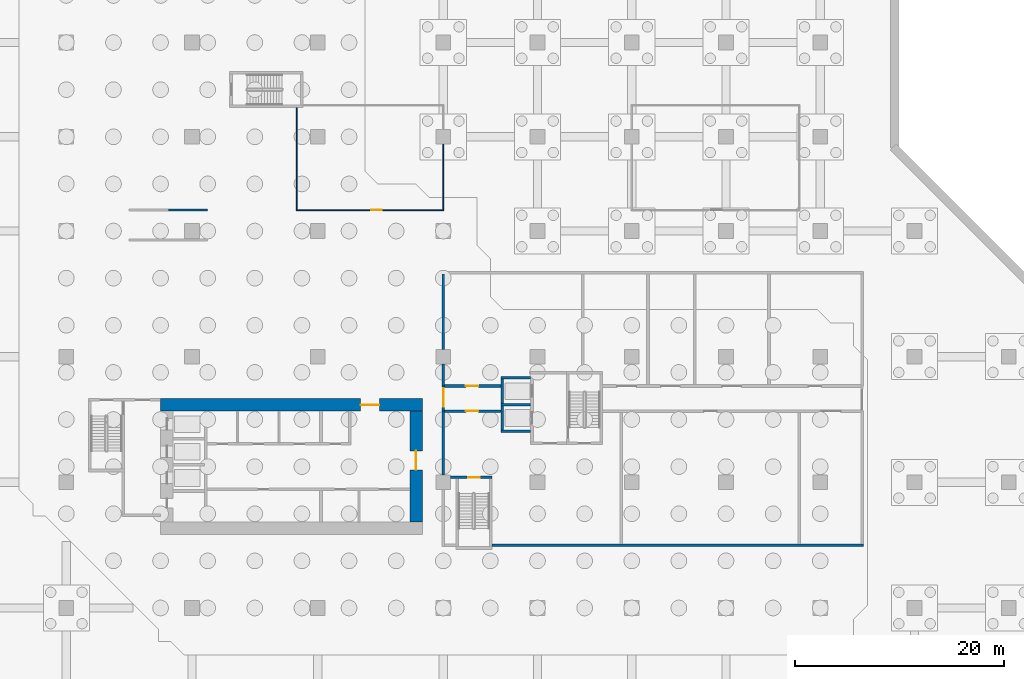
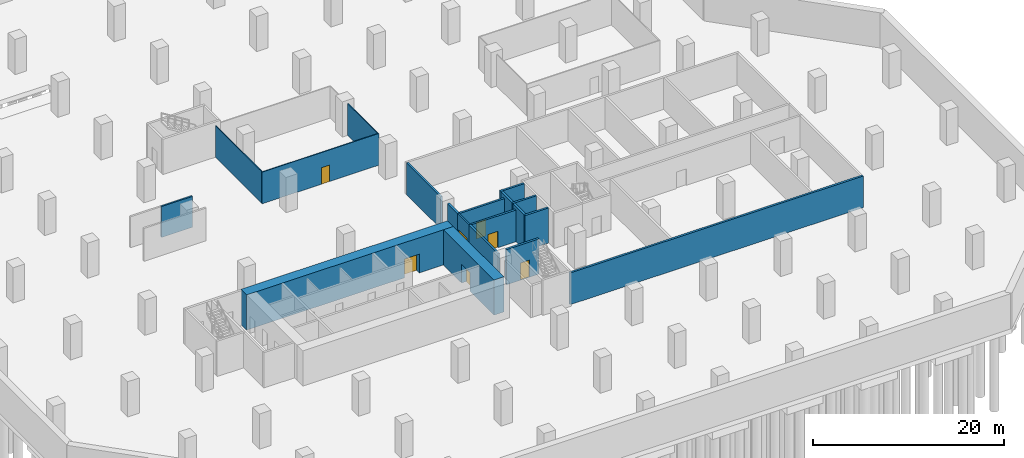
# One storey, part 8 of 13: 19 walls, 7 doors, 7 openings.
"""IFC4 building model written with IfcOpenShell, lengths in metres."""

from ifc_helpers import new_model, si_unit, direction, frame, frame_2d, origin, place, context, subcontext, project, spatial, rectangle, extrude, material, layer, layer_set, type_object, element, fill, save


model = new_model("IFC4")

# Units and contexts
model_context = context("Model", 3, precision=1e-05, world=origin(), true_north=direction((0.0, 1.0)))
body_context = subcontext(model_context, "Body", "Model", "MODEL_VIEW")
ifc_project = project(units=[si_unit("LENGTHUNIT", "METRE"), si_unit("AREAUNIT", "SQUARE_METRE"), si_unit("VOLUMEUNIT", "CUBIC_METRE"), si_unit("PLANEANGLEUNIT", "RADIAN"), si_unit("MASSUNIT", "GRAM", prefix="KILO")], contexts=[model_context])

# Site, building, storey
site_placement = place(None, origin())
site = spatial("IfcSite", under=ifc_project, at=site_placement, CompositionType="ELEMENT")
building_placement = place(site_placement, origin())
building = spatial("IfcBuilding", under=site, at=building_placement, Name="Chenar Terraces", CompositionType="ELEMENT")
storey_placement = place(building_placement, frame((0.0, 0.0, -13.5)))
storey = spatial("IfcBuildingStorey", under=building, at=storey_placement, Name="B3", CompositionType="ELEMENT", Elevation=-13.5)

# Wall, opening, door
ifc_material_1 = material(Name="Concrete C70/85", Category="concrete")
ifc_layer_1 = layer(ifc_material_1, 1.199951171875)
ifc_layer_set_1 = layer_set([ifc_layer_1], Name="Concrete C70/85")
wall_type_1 = type_object("IfcWallType", Name="Core wall 1200 Concrete C70/85", PredefinedType="SHEAR", material=ifc_layer_set_1)
wall_1_placement = place(storey_placement, frame((9.0, 19.39990234375, 0.0), z_axis=(0.0, 0.0, 1.0), x_axis=(1.0, 0.0, 0.0)))
wall_1 = element("IfcWall", 1, at=wall_1_placement, inside=storey, type_object=wall_type_1, Name="Core wall N B3", PredefinedType="SHEAR", context=body_context, shape_type="SweptSolid", body=[
    extrude(rectangle(XDim=25.0, YDim=1.199951171875, at=frame_2d((12.5, 0.0))), origin(), (0.0, 0.0, 1.0), 4.5),
])
opening_1_placement = place(wall_1_placement, frame((19.10009765625, 0.0, 0.0)))
opening_1 = element("IfcOpeningElement", 2, at=opening_1_placement, cuts=wall_1, Name="Opening DB3-C2", PredefinedType="OPENING", context=body_context, shape_type="SweptSolid", body=[
    extrude(rectangle(XDim=1.800048828125, YDim=2.39990234375, at=frame_2d((0.89990234375, 1.199951171875))), frame((0.0, 0.60986328125, 0.0), z_axis=(0.0, -1.0, 0.0), x_axis=(1.0, 0.0, 0.0)), (0.0, 0.0, 1.0), 1.219970703125),
])
ifc_material_2 = material(Name="Steel-framed fire-resisting door leaf", Category="steel")
door_type_1 = type_object("IfcDoorType", Name="Core entrance double fire door FD60 1800 x 2400", OperationType="DOUBLE_DOOR_SINGLE_SWING", PredefinedType="DOOR", material=ifc_material_2)
door_1_placement = place(opening_1_placement, origin())
door_1 = element("IfcDoor", 3, at=door_1_placement, inside=storey, type_object=door_type_1, Name="Core door DB3-C2", OperationType="DOUBLE_DOOR_SINGLE_SWING", OverallHeight=2.39990234375, OverallWidth=1.800048828125, PredefinedType="DOOR", context=body_context, shape_type="SweptSolid", body=[
    extrude(rectangle(XDim=1.800048828125, YDim=2.39990234375, at=frame_2d((0.89990234375, 1.199951171875))), frame((0.0, 0.02490234375, 0.0), z_axis=(0.0, -1.0, 0.0), x_axis=(1.0, 0.0, 0.0)), (0.0, 0.0, 1.0), 0.050048828125),
])
fill(opening_1, door_1)

wall_2_placement = place(storey_placement, frame((33.39990234375, 8.199951171875, 0.0), z_axis=(0.0, 0.0, 1.0), x_axis=(0.0, 1.0, 0.0)))
wall_2 = element("IfcWall", 4, at=wall_2_placement, inside=storey, type_object=wall_type_1, Name="Core wall E B3", PredefinedType="SHEAR", context=body_context, shape_type="SweptSolid", body=[
    extrude(rectangle(XDim=10.60009765625, YDim=1.199951171875, at=frame_2d((5.300048828125, 0.0))), origin(), (0.0, 0.0, 1.0), 4.5),
])
opening_2_placement = place(wall_2_placement, frame((5.0, 0.0, 0.0)))
opening_2 = element("IfcOpeningElement", 5, at=opening_2_placement, cuts=wall_2, Name="Opening DB3-C1", PredefinedType="OPENING", context=body_context, shape_type="SweptSolid", body=[
    extrude(rectangle(XDim=1.800048828125, YDim=2.39990234375, at=frame_2d((0.89990234375, 1.199951171875))), frame((0.0, 0.60986328125, 0.0), z_axis=(0.0, -1.0, 0.0), x_axis=(1.0, 0.0, 0.0)), (0.0, 0.0, 1.0), 1.219970703125),
])
door_2_placement = place(opening_2_placement, frame((1.800048828125, 0.0, 0.0), z_axis=(0.0, 0.0, 1.0), x_axis=(-1.0, 0.0, 0.0)))
door_2 = element("IfcDoor", 6, at=door_2_placement, inside=storey, type_object=door_type_1, Name="Core door DB3-C1", OperationType="DOUBLE_DOOR_SINGLE_SWING", OverallHeight=2.39990234375, OverallWidth=1.800048828125, PredefinedType="DOOR", context=body_context, shape_type="SweptSolid", body=[
    extrude(rectangle(XDim=1.800048828125, YDim=2.39990234375, at=frame_2d((0.89990234375, 1.199951171875))), frame((0.0, 0.02490234375, 0.0), z_axis=(0.0, -1.0, 0.0), x_axis=(1.0, 0.0, 0.0)), (0.0, 0.0, 1.0), 0.050048828125),
])
fill(opening_2, door_2)

ifc_material_3 = material(Name="Concrete C70/85", Category="concrete")
ifc_layer_2 = layer(ifc_material_3, 0.25)
ifc_layer_set_2 = layer_set([ifc_layer_2], Name="Concrete C70/85")
wall_type_2 = type_object("IfcWallType", Name="Core wall 250 Concrete C70/85", PredefinedType="SHEAR", material=ifc_layer_set_2)
wall_3_placement = place(storey_placement, frame((36.699951171875, 12.47509765625, 0.0), z_axis=(0.0, 0.0, 1.0), x_axis=(1.0, 0.0, 0.0)))
wall_3 = element("IfcWall", 7, at=wall_3_placement, inside=storey, type_object=wall_type_2, Name="Core wall ST2_N B3", PredefinedType="SHEAR", context=body_context, shape_type="SweptSolid", body=[
    extrude(rectangle(XDim=3.949951171875, YDim=0.25, at=frame_2d((1.97509765625, 0.0))), origin(), (0.0, 0.0, 1.0), 4.5),
])
opening_3_placement = place(wall_3_placement, frame((1.675048828125, 0.0, 0.0)))
opening_3 = element("IfcOpeningElement", 8, at=opening_3_placement, cuts=wall_3, Name="Opening DB3-C7", PredefinedType="OPENING", context=body_context, shape_type="SweptSolid", body=[
    extrude(rectangle(XDim=1.10009765625, YDim=2.199951171875, at=frame_2d((0.550048828125, 1.10009765625))), frame((0.0, 0.135009765625, 0.0), z_axis=(0.0, -1.0, 0.0), x_axis=(1.0, 0.0, 0.0)), (0.0, 0.0, 1.0), 0.27001953125),
])
ifc_material_4 = material(Name="Steel-framed fire-resisting door leaf", Category="steel")
door_type_2 = type_object("IfcDoorType", Name="Stair fire door FD60 1100 x 2200", OperationType="SINGLE_SWING_LEFT", PredefinedType="DOOR", material=ifc_material_4)
door_3_placement = place(opening_3_placement, frame((1.10009765625, 0.0, 0.0), z_axis=(0.0, 0.0, 1.0), x_axis=(-1.0, 0.0, 0.0)))
door_3 = element("IfcDoor", 9, at=door_3_placement, inside=storey, type_object=door_type_2, Name="Stair door DB3-C7", OperationType="SINGLE_SWING_LEFT", OverallHeight=2.199951171875, OverallWidth=1.10009765625, PredefinedType="DOOR", context=body_context, shape_type="SweptSolid", body=[
    extrude(rectangle(XDim=1.10009765625, YDim=2.199951171875, at=frame_2d((0.550048828125, 1.10009765625))), frame((0.0, 0.02490234375, 0.0), z_axis=(0.0, -1.0, 0.0), x_axis=(1.0, 0.0, 0.0)), (0.0, 0.0, 1.0), 0.050048828125),
])
fill(opening_3, door_3)

# Walls
for number, where, z_axis, x_axis, name in (
    (10, (41.5, 16.875, 0.0), (0.0, 0.0, 1.0), (1.0, 0.0, 0.0), "Core wall F3_SS B3"),
    (11, (41.5, 19.425048828125, 0.0), (0.0, 0.0, 1.0), (1.0, 0.0, 0.0), "Core wall F3_SM B3"),
    (12, (41.5, 21.97509765625, 0.0), (0.0, 0.0, 1.0), (1.0, 0.0, 0.0), "Core wall F4_SN B3"),
):
    element("IfcWall", number, at=place(storey_placement, frame(where, z_axis=z_axis, x_axis=x_axis)), inside=storey, type_object=wall_type_2, Name=name, PredefinedType="SHEAR", context=body_context, shape_type="SweptSolid", body=[
        extrude(rectangle(XDim=2.85009765625, YDim=0.25, at=frame_2d((1.425048828125, 0.0))), origin(), (0.0, 0.0, 1.0), 4.5),
    ])
for number, where, z_axis, x_axis, name in (
    (13, (41.625, 17.0, 0.0), (0.0, 0.0, 1.0), (0.0, 1.0, 0.0), "Core wall F3_SW B3"),
    (14, (41.625, 19.550048828125, 0.0), (0.0, 0.0, 1.0), (0.0, 1.0, 0.0), "Core wall F4_SW B3"),
):
    element("IfcWall", number, at=place(storey_placement, frame(where, z_axis=z_axis, x_axis=x_axis)), inside=storey, type_object=wall_type_2, Name=name, PredefinedType="SHEAR", context=body_context, shape_type="SweptSolid", body=[
        extrude(rectangle(XDim=2.300048828125, YDim=0.25, at=frame_2d((1.14990234375, 0.0))), origin(), (0.0, 0.0, 1.0), 4.5),
    ])

# Wall, opening, door
ifc_material_5 = material(Name="Gypsum board on steel studs with fire boards", Category="steel")
ifc_layer_3 = layer(ifc_material_5, 0.199951171875)
ifc_layer_set_3 = layer_set([ifc_layer_3], Name="Gypsum board on steel studs with fire boards")
wall_type_3 = type_object("IfcWallType", Name="Corridor wall 200", PredefinedType="PARTITIONING", material=ifc_layer_set_3)
wall_4_placement = place(storey_placement, frame((36.0, 18.800048828125, 0.0), z_axis=(0.0, 0.0, 1.0), x_axis=(0.0, 1.0, 0.0)))
wall_4 = element("IfcWall", 15, at=wall_4_placement, inside=storey, type_object=wall_type_3, Name="Partition B3-007", PredefinedType="PARTITIONING", context=body_context, shape_type="SweptSolid", body=[
    extrude(rectangle(XDim=2.39990234375, YDim=0.199951171875, at=frame_2d((1.199951171875, 0.0))), origin(), (0.0, 0.0, 1.0), 4.050048828125),
])
opening_4_placement = place(wall_4_placement, frame((0.39990234375, 0.0, 0.0)))
opening_4 = element("IfcOpeningElement", 16, at=opening_4_placement, cuts=wall_4, Name="Opening DB3-1", PredefinedType="OPENING", context=body_context, shape_type="SweptSolid", body=[
    extrude(rectangle(XDim=1.800048828125, YDim=2.10009765625, at=frame_2d((0.89990234375, 1.050048828125))), frame((0.0, 0.10986328125, 0.0), z_axis=(0.0, -1.0, 0.0), x_axis=(1.0, 0.0, 0.0)), (0.0, 0.0, 1.0), 0.219970703125),
])
ifc_material_6 = material(Name="Steel-framed fire-resisting door leaf", Category="steel")
door_type_3 = type_object("IfcDoorType", Name="Fire double door FD60 1800 x 2100", OperationType="DOUBLE_DOOR_SINGLE_SWING", PredefinedType="DOOR", material=ifc_material_6)
door_4_placement = place(opening_4_placement, origin())
door_4 = element("IfcDoor", 17, at=door_4_placement, inside=storey, type_object=door_type_3, Name="Door DB3-1", OperationType="DOUBLE_DOOR_SINGLE_SWING", OverallHeight=2.10009765625, OverallWidth=1.800048828125, PredefinedType="DOOR", context=body_context, shape_type="SweptSolid", body=[
    extrude(rectangle(XDim=1.800048828125, YDim=2.10009765625, at=frame_2d((0.89990234375, 1.050048828125))), frame((0.0, 0.02490234375, 0.0), z_axis=(0.0, -1.0, 0.0), x_axis=(1.0, 0.0, 0.0)), (0.0, 0.0, 1.0), 0.050048828125),
])
fill(opening_4, door_4)

ifc_material_7 = material(Name="Gypsum board on steel studs", Category="steel")
ifc_layer_4 = layer(ifc_material_7, 0.10009765625)
ifc_layer_set_4 = layer_set([ifc_layer_4], Name="Gypsum board on steel studs")
wall_type_4 = type_object("IfcWallType", Name="Gypsum partition 100", PredefinedType="PARTITIONING", material=ifc_layer_set_4)
wall_5_placement = place(storey_placement, frame((21.949951171875, 38.0, 0.0), z_axis=(0.0, 0.0, 1.0), x_axis=(1.0, 0.0, 0.0)))
wall_5 = element("IfcWall", 18, at=wall_5_placement, inside=storey, type_object=wall_type_4, Name="Partition B3-001", PredefinedType="PARTITIONING", context=body_context, shape_type="SweptSolid", body=[
    extrude(rectangle(XDim=14.10009765625, YDim=0.10009765625, at=frame_2d((7.050048828125, 0.0))), origin(), (0.0, 0.0, 1.0), 4.050048828125),
])
opening_5_placement = place(wall_5_placement, frame((7.14990234375, 0.0, 0.0)))
opening_5 = element("IfcOpeningElement", 19, at=opening_5_placement, cuts=wall_5, Name="Opening DB3-12", PredefinedType="OPENING", context=body_context, shape_type="SweptSolid", body=[
    extrude(rectangle(XDim=1.0, YDim=2.10009765625, at=frame_2d((0.5, 1.050048828125))), frame((0.0, 0.06005859375, 0.0), z_axis=(0.0, -1.0, 0.0), x_axis=(1.0, 0.0, 0.0)), (0.0, 0.0, 1.0), 0.1201171875),
])
ifc_material_8 = material(Name="Veneered timber door leaf", Category="wood")
door_type_4 = type_object("IfcDoorType", Name="Door 1000 x 2100", OperationType="SINGLE_SWING_LEFT", PredefinedType="DOOR", material=ifc_material_8)
door_5_placement = place(opening_5_placement, origin())
door_5 = element("IfcDoor", 20, at=door_5_placement, inside=storey, type_object=door_type_4, Name="Door DB3-12", OperationType="SINGLE_SWING_LEFT", OverallHeight=2.10009765625, OverallWidth=1.0, PredefinedType="DOOR", context=body_context, shape_type="SweptSolid", body=[
    extrude(rectangle(XDim=1.0, YDim=2.10009765625, at=frame_2d((0.5, 1.050048828125))), frame((0.0, 0.02490234375, 0.0), z_axis=(0.0, -1.0, 0.0), x_axis=(1.0, 0.0, 0.0)), (0.0, 0.0, 1.0), 0.050048828125),
])
fill(opening_5, door_5)

# Walls
wall_6_placement = place(storey_placement, frame((22.0, 38.050048828125, 0.0), z_axis=(0.0, 0.0, 1.0), x_axis=(0.0, 1.0, 0.0)))
element("IfcWall", 21, at=wall_6_placement, inside=storey, type_object=wall_type_4, Name="Partition B3-002", PredefinedType="PARTITIONING", context=body_context, shape_type="SweptSolid", body=[
    extrude(rectangle(XDim=9.724853515625, YDim=0.10009765625, at=frame_2d((4.8623046875, 0.0))), origin(), (0.0, 0.0, 1.0), 4.050048828125),
])
wall_7_placement = place(storey_placement, frame((36.0, 38.050048828125, 0.0), z_axis=(0.0, 0.0, 1.0), x_axis=(0.0, 1.0, 0.0)))
element("IfcWall", 22, at=wall_7_placement, inside=storey, type_object=wall_type_4, Name="Partition B3-010", PredefinedType="PARTITIONING", context=body_context, shape_type="SweptSolid", body=[
    extrude(rectangle(XDim=6.2509765625, YDim=0.10009765625, at=frame_2d((3.12548828125, 0.0))), origin(), (0.0, 0.0, 1.0), 4.050048828125),
])
ifc_material_9 = material(Name="Fire-board and steel stud wall with mineral wool", Category="steel")
ifc_layer_5 = layer(ifc_material_9, 0.25)
ifc_layer_set_5 = layer_set([ifc_layer_5], Name="Fire-board and steel stud wall with mineral wool")
wall_type_5 = type_object("IfcWallType", Name="Plant room wall 250", PredefinedType="PARTITIONING", material=ifc_layer_set_5)
wall_8_placement = place(storey_placement, frame((36.0, 12.698974609375, 0.0), z_axis=(0.0, 0.0, 1.0), x_axis=(0.0, 1.0, 0.0)))
element("IfcWall", 23, at=wall_8_placement, inside=storey, type_object=wall_type_5, Name="Partition B3-006", PredefinedType="PARTITIONING", context=body_context, shape_type="SweptSolid", body=[
    extrude(rectangle(XDim=6.10107421875, YDim=0.25, at=frame_2d((3.050537109375, 0.0))), origin(), (0.0, 0.0, 1.0), 4.050048828125),
])
wall_9_placement = place(storey_placement, frame((36.0, 21.199951171875, 0.0), z_axis=(0.0, 0.0, 1.0), x_axis=(0.0, 1.0, 0.0)))
element("IfcWall", 24, at=wall_9_placement, inside=storey, type_object=wall_type_5, Name="Partition B3-008", PredefinedType="PARTITIONING", context=body_context, shape_type="SweptSolid", body=[
    extrude(rectangle(XDim=2.10107421875, YDim=0.25, at=frame_2d((1.050537109375, 0.0))), origin(), (0.0, 0.0, 1.0), 4.050048828125),
])
wall_10_placement = place(storey_placement, frame((36.0, 24.698974609375, 0.0), z_axis=(0.0, 0.0, 1.0), x_axis=(0.0, 1.0, 0.0)))
element("IfcWall", 25, at=wall_10_placement, inside=storey, type_object=wall_type_5, Name="Partition B3-009", PredefinedType="PARTITIONING", context=body_context, shape_type="SweptSolid", body=[
    extrude(rectangle(XDim=7.176025390625, YDim=0.25, at=frame_2d((3.587890625, 0.0))), origin(), (0.0, 0.0, 1.0), 4.050048828125),
])

# Wall, opening, door
wall_11_placement = place(storey_placement, frame((36.125, 18.800048828125, 0.0), z_axis=(0.0, 0.0, 1.0), x_axis=(1.0, 0.0, 0.0)))
wall_11 = element("IfcWall", 26, at=wall_11_placement, inside=storey, type_object=wall_type_5, Name="Partition B3-013", PredefinedType="PARTITIONING", context=body_context, shape_type="SweptSolid", body=[
    extrude(rectangle(XDim=5.375, YDim=0.25, at=frame_2d((2.6875, 0.0))), origin(), (0.0, 0.0, 1.0), 4.050048828125),
])
opening_6_placement = place(wall_11_placement, frame((2.02490234375, 0.0, 0.0)))
opening_6 = element("IfcOpeningElement", 27, at=opening_6_placement, cuts=wall_11, Name="Opening DB3-3", PredefinedType="OPENING", context=body_context, shape_type="SweptSolid", body=[
    extrude(rectangle(XDim=1.199951171875, YDim=2.10009765625, at=frame_2d((0.60009765625, 1.050048828125))), frame((0.0, 0.135009765625, 0.0), z_axis=(0.0, -1.0, 0.0), x_axis=(1.0, 0.0, 0.0)), (0.0, 0.0, 1.0), 0.27001953125),
])
ifc_material_10 = material(Name="Steel-framed fire-resisting door leaf", Category="steel")
door_type_5 = type_object("IfcDoorType", Name="Fire door FD120 1200 x 2100", OperationType="SINGLE_SWING_LEFT", PredefinedType="DOOR", material=ifc_material_10)
door_6_placement = place(opening_6_placement, frame((1.199951171875, 0.0, 0.0), z_axis=(0.0, 0.0, 1.0), x_axis=(-1.0, 0.0, 0.0)))
door_6 = element("IfcDoor", 28, at=door_6_placement, inside=storey, type_object=door_type_5, Name="Door DB3-3", OperationType="SINGLE_SWING_RIGHT", OverallHeight=2.10009765625, OverallWidth=1.199951171875, PredefinedType="DOOR", context=body_context, shape_type="SweptSolid", body=[
    extrude(rectangle(XDim=1.199951171875, YDim=2.10009765625, at=frame_2d((0.60009765625, 1.050048828125))), frame((0.0, 0.02490234375, 0.0), z_axis=(0.0, -1.0, 0.0), x_axis=(1.0, 0.0, 0.0)), (0.0, 0.0, 1.0), 0.050048828125),
])
fill(opening_6, door_6)

wall_12_placement = place(storey_placement, frame((36.125, 21.199951171875, 0.0), z_axis=(0.0, 0.0, 1.0), x_axis=(1.0, 0.0, 0.0)))
wall_12 = element("IfcWall", 29, at=wall_12_placement, inside=storey, type_object=wall_type_5, Name="Partition B3-014", PredefinedType="PARTITIONING", context=body_context, shape_type="SweptSolid", body=[
    extrude(rectangle(XDim=5.375, YDim=0.25, at=frame_2d((2.6875, 0.0))), origin(), (0.0, 0.0, 1.0), 4.050048828125),
])
opening_7_placement = place(wall_12_placement, frame((2.02490234375, 0.0, 0.0)))
opening_7 = element("IfcOpeningElement", 30, at=opening_7_placement, cuts=wall_12, Name="Opening DB3-6", PredefinedType="OPENING", context=body_context, shape_type="SweptSolid", body=[
    extrude(rectangle(XDim=1.199951171875, YDim=2.10009765625, at=frame_2d((0.60009765625, 1.050048828125))), frame((0.0, 0.135009765625, 0.0), z_axis=(0.0, -1.0, 0.0), x_axis=(1.0, 0.0, 0.0)), (0.0, 0.0, 1.0), 0.27001953125),
])
door_7_placement = place(opening_7_placement, origin())
door_7 = element("IfcDoor", 31, at=door_7_placement, inside=storey, type_object=door_type_5, Name="Door DB3-6", OperationType="SINGLE_SWING_LEFT", OverallHeight=2.10009765625, OverallWidth=1.199951171875, PredefinedType="DOOR", context=body_context, shape_type="SweptSolid", body=[
    extrude(rectangle(XDim=1.199951171875, YDim=2.10009765625, at=frame_2d((0.60009765625, 1.050048828125))), frame((0.0, 0.02490234375, 0.0), z_axis=(0.0, -1.0, 0.0), x_axis=(1.0, 0.0, 0.0)), (0.0, 0.0, 1.0), 0.050048828125),
])
fill(opening_7, door_7)

# Walls
wall_13_placement = place(storey_placement, frame((40.64990234375, 6.0, 0.0), z_axis=(0.0, 0.0, 1.0), x_axis=(1.0, 0.0, 0.0)))
element("IfcWall", 32, at=wall_13_placement, inside=storey, type_object=wall_type_5, Name="Partition B3-015", PredefinedType="PARTITIONING", context=body_context, shape_type="SweptSolid", body=[
    extrude(rectangle(XDim=35.47509765625, YDim=0.25, at=frame_2d((17.737548828125, 0.0))), origin(), (0.0, 0.0, 1.0), 4.050048828125),
])
ifc_material_11 = material(Name="Reinforced concrete C40/50", Category="concrete")
ifc_layer_6 = layer(ifc_material_11, 0.199951171875)
ifc_layer_set_6 = layer_set([ifc_layer_6], Name="Reinforced concrete C40/50")
wall_type_6 = type_object("IfcWallType", Name="Ramp bearing wall 200 concrete", PredefinedType="SOLIDWALL", material=ifc_layer_set_6)
wall_14_placement = place(storey_placement, frame((9.75, 38.0, 0.0), z_axis=(0.0, 0.0, 1.0), x_axis=(1.0, 0.0, 0.0)))
element("IfcWall", 33, at=wall_14_placement, inside=storey, type_object=wall_type_6, Name="Ramp bearing wall", PredefinedType="SOLIDWALL", context=body_context, shape_type="SweptSolid", body=[
    extrude(rectangle(XDim=3.75, YDim=0.199951171875, at=frame_2d((1.875, 0.0))), origin(), (0.0, 0.0, 1.0), 3.949951171875),
])

save(model, "model.ifc")
